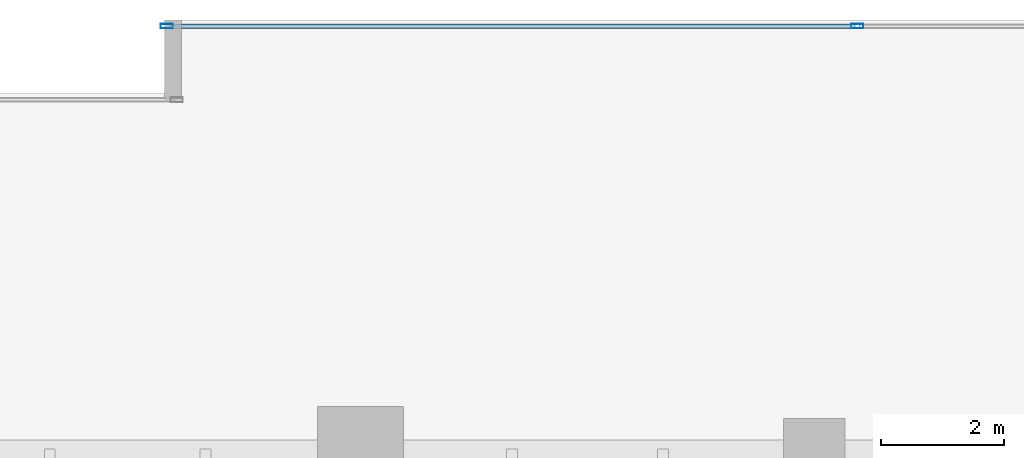
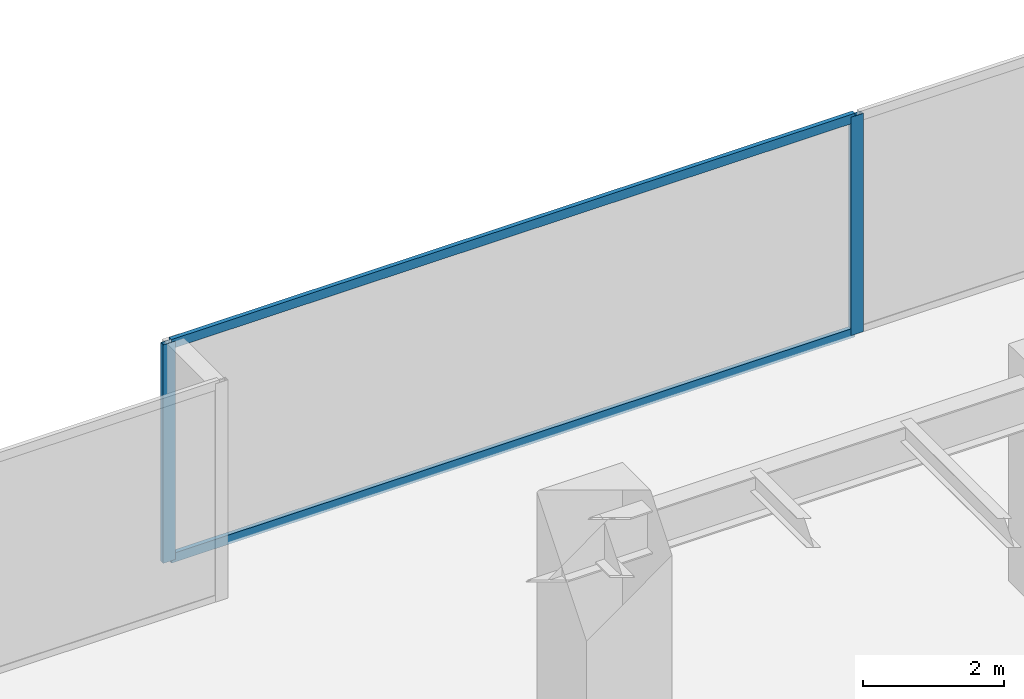
# One storey, part 22 of 35: 4 members, 1 element without a shape of its own.
"""IFC4 building model written with IfcOpenShell, lengths in metres."""

from ifc_helpers import new_model, si_unit, direction, frame, origin, origin_2d, place, context, subcontext, project, spatial, hollow_rectangle, extrude, source, transform, mapped, material, layer, layer_set, material_profile, profile_set, type_object, type_shapes, element, aggregate, save


model = new_model("IFC4")

# Units and contexts
model_context = context("Model", 3, precision=1e-05, world=origin(), true_north=direction((0.0, 1.0)))
body_context = subcontext(model_context, "Body", "Model", "MODEL_VIEW")
ifc_project = project(units=[si_unit("LENGTHUNIT", "METRE"), si_unit("AREAUNIT", "SQUARE_METRE"), si_unit("VOLUMEUNIT", "CUBIC_METRE"), si_unit("PLANEANGLEUNIT", "RADIAN"), si_unit("MASSUNIT", "GRAM", prefix="KILO")], contexts=[model_context])

# Site, building, storey
site_placement = place(None, origin())
site = spatial("IfcSite", under=ifc_project, at=site_placement, CompositionType="ELEMENT")
building_placement = place(site_placement, origin())
building = spatial("IfcBuilding", under=site, at=building_placement, Name="Haelvirn Gate Laboratories", CompositionType="ELEMENT")
storey_placement = place(building_placement, frame((0.0, 0.0, 45.699951171875)))
storey = spatial("IfcBuildingStorey", under=building, at=storey_placement, Name="L11", CompositionType="ELEMENT", Elevation=45.699951171875)

# Curtain wall, members
ifc_material_1 = material(Name="Anodised bronze unitised aluminium & triple low-E glass", Category="aluminium")
ifc_layer = layer(ifc_material_1, 0.18408203125, Name="CW-SYS-2")
ifc_layer_set = layer_set([ifc_layer], Name="Anodised bronze unitised aluminium & triple low-E glass")
curtain_wall_type = type_object("IfcCurtainWallType", Name="CW-SYS-2", PredefinedType="NOTDEFINED", material=ifc_layer_set)
curtain_wall_placement = place(storey_placement, origin())
curtain_wall = element("IfcCurtainWall", 1, at=curtain_wall_placement, inside=storey, type_object=curtain_wall_type, Name="L11 Unitised Curtain Wall CW-L11-P0-E10-1", PredefinedType="NOTDEFINED")
ifc_material_2 = material(Name="Extruded aluminium 6063-T6 (anodised bronze)", Category="aluminium")
ifc_material_profile_1 = material_profile(ifc_material_2, hollow_rectangle(XDim=0.074951171875, YDim=0.199951171875, WallThickness=0.0048828125, at=origin_2d()), Name="CWM-200x75x5")
ifc_profile_set_1 = profile_set([ifc_material_profile_1], Name="Extruded aluminium 6063-T6 (anodised bronze)")
member_type_1 = type_object("IfcMemberType", Name="CWM-T200", PredefinedType="MULLION", material=ifc_profile_set_1)
shared_shape_1 = source(origin(), body_context, "Body", "SweptSolid", [
    extrude(hollow_rectangle(XDim=0.074951171875, YDim=0.199951171875, WallThickness=0.0048828125, at=origin_2d()), origin(), (0.0, 0.0, 1.0), 3.780029296875),
])
type_shapes(member_type_1, [shared_shape_1])
member_1_placement = place(storey_placement, frame((49.4375, 48.5, 0.0), z_axis=(0.0, 0.0, 1.0), x_axis=(0.0, 1.0, 0.0)))
member_1 = element("IfcMember", 2, at=member_1_placement, type_object=member_type_1, Name="CW2 mullion 1", PredefinedType="MULLION", context=body_context, shape_type="MappedRepresentation", body=[
    mapped(shared_shape_1, transform((0.0, 0.0, 0.0), scale=1.0)),
])
member_2_placement = place(storey_placement, frame((60.699951171875, 48.5, 0.0), z_axis=(0.0, 0.0, 1.0), x_axis=(0.0, 1.0, 0.0)))
member_2 = element("IfcMember", 3, at=member_2_placement, type_object=member_type_1, Name="CW2 mullion 2", PredefinedType="MULLION", context=body_context, shape_type="MappedRepresentation", body=[
    mapped(shared_shape_1, transform((0.0, 0.0, 0.0), scale=1.0)),
])
ifc_material_profile_2 = material_profile(ifc_material_2, hollow_rectangle(XDim=0.070068359375, YDim=0.159912109375, WallThickness=0.0048828125, at=origin_2d()), Name="CWT-160x70x5")
ifc_profile_set_2 = profile_set([ifc_material_profile_2], Name="Extruded aluminium 6063-T6 (anodised bronze)")
member_type_2 = type_object("IfcMemberType", Name="CWT-T160", PredefinedType="USERDEFINED", material=ifc_profile_set_2)
shared_shape_2 = source(origin(), body_context, "Body", "SweptSolid", [
    extrude(hollow_rectangle(XDim=0.070068359375, YDim=0.159912109375, WallThickness=0.0048828125, at=origin_2d()), origin(), (0.0, 0.0, 1.0), 11.1875),
])
type_shapes(member_type_2, [shared_shape_2])
member_3_placement = place(storey_placement, frame((49.47509765625, 48.5, 0.03515625), z_axis=(1.0, 0.0, 0.0), x_axis=(0.0, 1.0, 0.0)))
member_3 = element("IfcMember", 4, at=member_3_placement, type_object=member_type_2, Name="CW2 transom 1.1", ObjectType="TRANSOM", PredefinedType="USERDEFINED", context=body_context, shape_type="MappedRepresentation", body=[
    mapped(shared_shape_2, transform((0.0, 0.0, 0.0), scale=1.0)),
])
member_4_placement = place(storey_placement, frame((49.47509765625, 48.5, 3.7451171875), z_axis=(1.0, 0.0, 0.0), x_axis=(0.0, 1.0, 0.0)))
member_4 = element("IfcMember", 5, at=member_4_placement, type_object=member_type_2, Name="CW2 transom 1.2", ObjectType="TRANSOM", PredefinedType="USERDEFINED", context=body_context, shape_type="MappedRepresentation", body=[
    mapped(shared_shape_2, transform((0.0, 0.0, 0.0), scale=1.0)),
])
aggregate(curtain_wall, [member_1, member_2, member_3, member_4])

save(model, "model.ifc")
